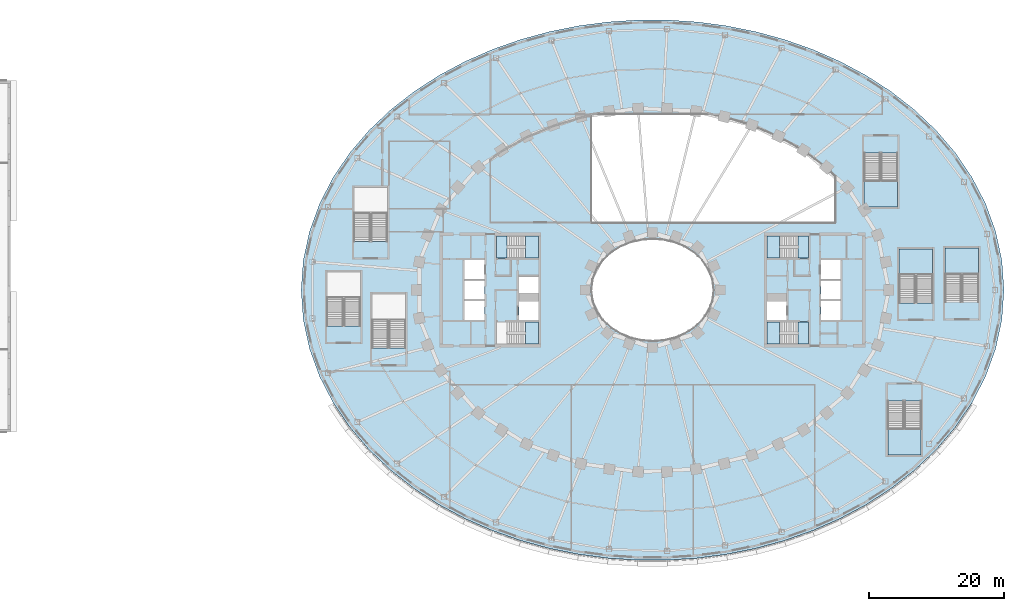
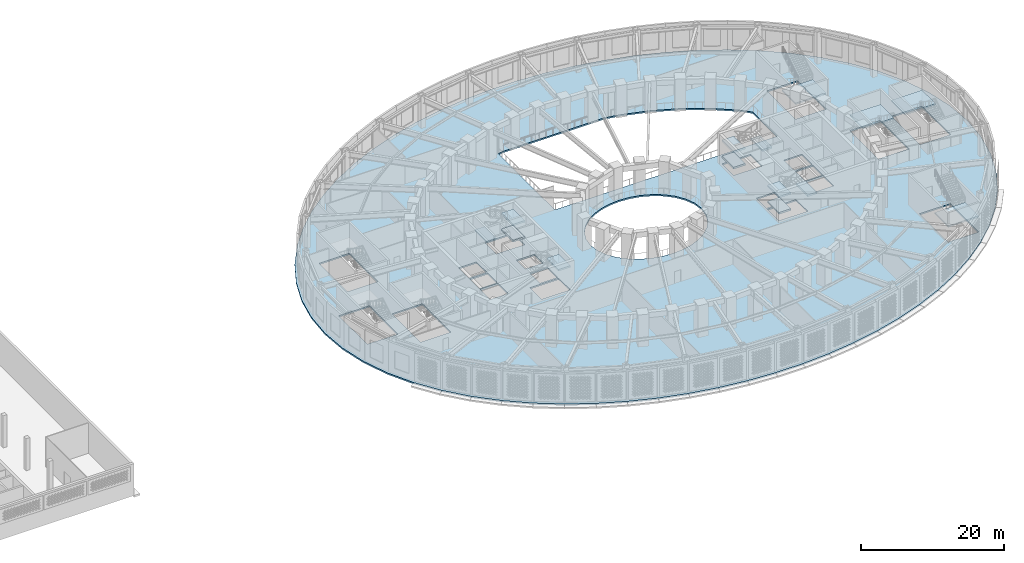
# One storey, part 8 of 69: 15 slabs, 8 elements without a shape of their own.
"""IFC4 building model written with IfcOpenShell, lengths in metres."""

from ifc_helpers import new_model, si_unit, direction, frame, origin, place, context, subcontext, project, spatial, polyline, outline, extrude, material, layer, layer_set, type_object, element, aggregate, save


model = new_model("IFC4")

# Units and contexts
model_context = context("Model", 3, precision=1e-05, world=origin(), true_north=direction((0.0, 1.0)))
body_context = subcontext(model_context, "Body", "Model", "MODEL_VIEW")
ifc_project = project(units=[si_unit("LENGTHUNIT", "METRE"), si_unit("AREAUNIT", "SQUARE_METRE"), si_unit("VOLUMEUNIT", "CUBIC_METRE"), si_unit("PLANEANGLEUNIT", "RADIAN"), si_unit("MASSUNIT", "GRAM", prefix="KILO")], contexts=[model_context])

# Site, building, storey
site_placement = place(None, origin())
site = spatial("IfcSite", under=ifc_project, at=site_placement, CompositionType="ELEMENT")
building_placement = place(site_placement, origin())
building = spatial("IfcBuilding", under=site, at=building_placement, Name="Noorbagh Ring Tower", CompositionType="ELEMENT")
storey_placement = place(building_placement, frame((0.0, 0.0, 19.5)))
storey = spatial("IfcBuildingStorey", under=building, at=storey_placement, Name="L03", CompositionType="ELEMENT", Elevation=19.5)

# Stair, slabs
ifc_material_1 = material(Name="Concrete C40/50", Category="concrete")
stair_type_1 = type_object("IfcStairType", Name="CORE-STAIR", PredefinedType="HALF_TURN_STAIR", material=ifc_material_1)
stair_1_placement = place(storey_placement, origin())
stair_1 = element("IfcStair", 1, at=stair_1_placement, inside=storey, type_object=stair_type_1, Name="L03 Exit stair ST1", PredefinedType="HALF_TURN_STAIR")
ifc_material_2 = material(Name="Concrete C40/50", Category="concrete")
ifc_layer_1 = layer(ifc_material_2, 0.300048828125)
ifc_layer_set_1 = layer_set([ifc_layer_1], Name="Concrete C40/50")
slab_type_1 = type_object("IfcSlabType", Name="CORE-STAIR-LANDING", PredefinedType="LANDING", material=ifc_layer_set_1)
slab_1_placement = place(storey_placement, frame((0.0, 0.0, 1.074951171875)))
slab_1 = element("IfcSlab", 2, at=slab_1_placement, type_object=slab_type_1, Name="ST1 landing 1", PredefinedType="LANDING", context=body_context, shape_type="SweptSolid", body=[
    extrude(outline(polyline([(-18.81005859375, 4.75), (-16.89990234375, 4.75), (-16.89990234375, 8.0), (-18.81005859375, 8.0), (-18.81005859375, 4.75)])), origin(), (0.0, 0.0, 1.0), 0.300048828125),
])
slab_2_placement = place(storey_placement, frame((0.0, 0.0, 2.449951171875)))
slab_2 = element("IfcSlab", 3, at=slab_2_placement, type_object=slab_type_1, Name="ST1 landing 2", PredefinedType="LANDING", context=body_context, shape_type="SweptSolid", body=[
    extrude(outline(polyline([(-23.080078125, 4.75), (-21.530029296875, 4.75), (-21.530029296875, 8.0), (-23.080078125, 8.0), (-23.080078125, 4.75)])), origin(), (0.0, 0.0, 1.0), 0.300048828125),
])
slab_3_placement = place(storey_placement, frame((0.0, 0.0, 3.824951171875)))
slab_3 = element("IfcSlab", 4, at=slab_3_placement, type_object=slab_type_1, Name="ST1 landing 3", PredefinedType="LANDING", context=body_context, shape_type="SweptSolid", body=[
    extrude(outline(polyline([(-18.81005859375, 4.75), (-16.89990234375, 4.75), (-16.89990234375, 8.0), (-18.81005859375, 8.0), (-18.81005859375, 4.75)])), origin(), (0.0, 0.0, 1.0), 0.300048828125),
])
aggregate(stair_1, [slab_1, slab_2, slab_3])

# Stair, slab
stair_2_placement = place(storey_placement, origin())
stair_2 = element("IfcStair", 5, at=stair_2_placement, inside=storey, type_object=stair_type_1, Name="L03 Exit stair ST2", PredefinedType="HALF_TURN_STAIR")
slab_4_placement = place(storey_placement, frame((0.0, 0.0, 3.824951171875)))
slab_4 = element("IfcSlab", 6, at=slab_4_placement, type_object=slab_type_1, Name="ST2 landing 3", PredefinedType="LANDING", context=body_context, shape_type="SweptSolid", body=[
    extrude(outline(polyline([(-18.81005859375, -8.0), (-16.89990234375, -8.0), (-16.89990234375, -4.75), (-18.81005859375, -4.75), (-18.81005859375, -8.0)])), origin(), (0.0, 0.0, 1.0), 0.300048828125),
])
aggregate(stair_2, [slab_4])

# Stair, slabs
stair_3_placement = place(storey_placement, origin())
stair_3 = element("IfcStair", 7, at=stair_3_placement, inside=storey, type_object=stair_type_1, Name="L03 Exit stair ST3", PredefinedType="HALF_TURN_STAIR")
slab_5_placement = place(storey_placement, frame((0.0, 0.0, 1.074951171875)))
slab_5 = element("IfcSlab", 8, at=slab_5_placement, type_object=slab_type_1, Name="ST3 landing 1", PredefinedType="LANDING", context=body_context, shape_type="SweptSolid", body=[
    extrude(outline(polyline([(18.81005859375, 8.0), (16.89990234375, 8.0), (16.89990234375, 4.75), (18.81005859375, 4.75), (18.81005859375, 8.0)])), origin(), (0.0, 0.0, 1.0), 0.300048828125),
])
slab_6_placement = place(storey_placement, frame((0.0, 0.0, 2.449951171875)))
slab_6 = element("IfcSlab", 9, at=slab_6_placement, type_object=slab_type_1, Name="ST3 landing 2", PredefinedType="LANDING", context=body_context, shape_type="SweptSolid", body=[
    extrude(outline(polyline([(23.080078125, 8.0), (21.530029296875, 8.0), (21.530029296875, 4.75), (23.080078125, 4.75), (23.080078125, 8.0)])), origin(), (0.0, 0.0, 1.0), 0.300048828125),
])
slab_7_placement = place(storey_placement, frame((0.0, 0.0, 3.824951171875)))
slab_7 = element("IfcSlab", 10, at=slab_7_placement, type_object=slab_type_1, Name="ST3 landing 3", PredefinedType="LANDING", context=body_context, shape_type="SweptSolid", body=[
    extrude(outline(polyline([(18.81005859375, 8.0), (16.89990234375, 8.0), (16.89990234375, 4.75), (18.81005859375, 4.75), (18.81005859375, 8.0)])), origin(), (0.0, 0.0, 1.0), 0.300048828125),
])
aggregate(stair_3, [slab_5, slab_6, slab_7])

stair_4_placement = place(storey_placement, origin())
stair_4 = element("IfcStair", 11, at=stair_4_placement, inside=storey, type_object=stair_type_1, Name="L03 Exit stair ST4", PredefinedType="HALF_TURN_STAIR")
slab_8_placement = place(storey_placement, frame((0.0, 0.0, 1.074951171875)))
slab_8 = element("IfcSlab", 12, at=slab_8_placement, type_object=slab_type_1, Name="ST4 landing 1", PredefinedType="LANDING", context=body_context, shape_type="SweptSolid", body=[
    extrude(outline(polyline([(18.81005859375, -4.75), (16.89990234375, -4.75), (16.89990234375, -8.0), (18.81005859375, -8.0), (18.81005859375, -4.75)])), origin(), (0.0, 0.0, 1.0), 0.300048828125),
])
slab_9_placement = place(storey_placement, frame((0.0, 0.0, 2.449951171875)))
slab_9 = element("IfcSlab", 13, at=slab_9_placement, type_object=slab_type_1, Name="ST4 landing 2", PredefinedType="LANDING", context=body_context, shape_type="SweptSolid", body=[
    extrude(outline(polyline([(23.080078125, -4.75), (21.530029296875, -4.75), (21.530029296875, -8.0), (23.080078125, -8.0), (23.080078125, -4.75)])), origin(), (0.0, 0.0, 1.0), 0.300048828125),
])
slab_10_placement = place(storey_placement, frame((0.0, 0.0, 3.824951171875)))
slab_10 = element("IfcSlab", 14, at=slab_10_placement, type_object=slab_type_1, Name="ST4 landing 3", PredefinedType="LANDING", context=body_context, shape_type="SweptSolid", body=[
    extrude(outline(polyline([(18.81005859375, -4.75), (16.89990234375, -4.75), (16.89990234375, -8.0), (18.81005859375, -8.0), (18.81005859375, -4.75)])), origin(), (0.0, 0.0, 1.0), 0.300048828125),
])
aggregate(stair_4, [slab_8, slab_9, slab_10])

# Stair, slab
ifc_material_3 = material(Name="Concrete C40/50", Category="concrete")
stair_type_2 = type_object("IfcStairType", Name="GND-STAIR", PredefinedType="HALF_TURN_STAIR", material=ifc_material_3)
stair_5_placement = place(storey_placement, origin())
stair_5 = element("IfcStair", 15, at=stair_5_placement, inside=storey, type_object=stair_type_2, Name="L03 exit stair ST-P2", PredefinedType="HALF_TURN_STAIR")
ifc_material_4 = material(Name="Concrete C40/50", Category="concrete")
ifc_layer_2 = layer(ifc_material_4, 0.25)
ifc_layer_set_2 = layer_set([ifc_layer_2], Name="Concrete C40/50")
slab_type_2 = type_object("IfcSlabType", Name="GND-STAIR-LANDING", PredefinedType="LANDING", material=ifc_layer_set_2)
slab_11_placement = place(storey_placement, frame((0.0, 0.0, 2.5)))
slab_11 = element("IfcSlab", 16, at=slab_11_placement, type_object=slab_type_2, Name="ST-P2 landing 1", PredefinedType="LANDING", context=body_context, shape_type="SweptSolid", body=[
    extrude(outline(polyline([(41.449951171875, 2.300048828125), (41.449951171875, 6.10009765625), (36.5, 6.10009765625), (36.5, 2.300048828125), (41.449951171875, 2.300048828125)])), origin(), (0.0, 0.0, 1.0), 0.25),
])
aggregate(stair_5, [slab_11])

stair_6_placement = place(storey_placement, origin())
stair_6 = element("IfcStair", 17, at=stair_6_placement, inside=storey, type_object=stair_type_2, Name="L03 exit stair ST-P4", PredefinedType="HALF_TURN_STAIR")
slab_12_placement = place(storey_placement, frame((0.0, 0.0, 2.5)))
slab_12 = element("IfcSlab", 18, at=slab_12_placement, type_object=slab_type_2, Name="ST-P4 landing 1", PredefinedType="LANDING", context=body_context, shape_type="SweptSolid", body=[
    extrude(outline(polyline([(48.25, 2.39990234375), (48.25, 6.199951171875), (43.300048828125, 6.199951171875), (43.300048828125, 2.39990234375), (48.25, 2.39990234375)])), origin(), (0.0, 0.0, 1.0), 0.25),
])
aggregate(stair_6, [slab_12])

stair_7_placement = place(storey_placement, origin())
stair_7 = element("IfcStair", 19, at=stair_7_placement, inside=storey, type_object=stair_type_2, Name="L03 exit stair ST-P5", PredefinedType="HALF_TURN_STAIR")
slab_13_placement = place(storey_placement, frame((0.0, 0.0, 2.5)))
slab_13 = element("IfcSlab", 20, at=slab_13_placement, type_object=slab_type_2, Name="ST-P5 landing 1", PredefinedType="LANDING", context=body_context, shape_type="SweptSolid", body=[
    extrude(outline(polyline([(31.300048828125, 16.10009765625), (31.300048828125, 12.300048828125), (36.25, 12.300048828125), (36.25, 16.10009765625), (31.300048828125, 16.10009765625)])), origin(), (0.0, 0.0, 1.0), 0.25),
])
aggregate(stair_7, [slab_13])

stair_8_placement = place(storey_placement, origin())
stair_8 = element("IfcStair", 21, at=stair_8_placement, inside=storey, type_object=stair_type_2, Name="L03 exit stair ST-P6", PredefinedType="HALF_TURN_STAIR")
slab_14_placement = place(storey_placement, frame((0.0, 0.0, 2.5)))
slab_14 = element("IfcSlab", 22, at=slab_14_placement, type_object=slab_type_2, Name="ST-P6 landing 1", PredefinedType="LANDING", context=body_context, shape_type="SweptSolid", body=[
    extrude(outline(polyline([(34.800048828125, -20.60009765625), (34.800048828125, -24.39990234375), (39.75, -24.39990234375), (39.75, -20.60009765625), (34.800048828125, -20.60009765625)])), origin(), (0.0, 0.0, 1.0), 0.25),
])
aggregate(stair_8, [slab_14])

# Slab
ifc_material_5 = material(Name="Concrete C40/50", Category="concrete")
ifc_layer_3 = layer(ifc_material_5, 0.25)
ifc_layer_set_3 = layer_set([ifc_layer_3], Name="Concrete C40/50")
slab_type_3 = type_object("IfcSlabType", Name="STR-PODIUM-DECK-250", PredefinedType="FLOOR", material=ifc_layer_set_3)
slab_15_placement = place(storey_placement, frame((0.0, 0.0, -0.25)))
element("IfcSlab", 23, at=slab_15_placement, inside=storey, type_object=slab_type_3, Name="L03/slab/1", PredefinedType="FLOOR", context=body_context, shape_type="SweptSolid", body=[
    extrude(outline(polyline([(52.0, 0.0), (51.68701171875, 4.383056640625), (50.76123046875, 8.6787109375), (49.261474609375, 12.809326171875), (47.2431640625, 16.713623046875), (44.769775390625, 20.346923828125), (41.906494140625, 23.682373046875), (38.71435546875, 26.70458984375), (35.247802734375, 29.408447265625), (31.5546875, 31.793701171875), (27.676025390625, 33.864013671875), (23.647216796875, 35.624755859375), (19.49853515625, 37.08154296875), (15.2568359375, 38.239501953125), (10.945556640625, 39.103759765625), (6.586181640625, 39.677734375), (2.198486328125, 39.964111328125), (-2.198486328125, 39.964111328125), (-6.586181640625, 39.677734375), (-10.945556640625, 39.103759765625), (-15.2568359375, 38.239501953125), (-19.49853515625, 37.08154296875), (-23.647216796875, 35.624755859375), (-27.676025390625, 33.864013671875), (-31.5546875, 31.793701171875), (-35.247802734375, 29.408447265625), (-38.71435546875, 26.70458984375), (-41.906494140625, 23.682373046875), (-44.769775390625, 20.346923828125), (-47.2431640625, 16.713623046875), (-49.261474609375, 12.809326171875), (-50.76123046875, 8.6787109375), (-51.68701171875, 4.383056640625), (-52.0, 0.0), (-51.68701171875, -4.383056640625), (-50.76123046875, -8.6787109375), (-49.261474609375, -12.809326171875), (-47.2431640625, -16.713623046875), (-44.769775390625, -20.346923828125), (-41.906494140625, -23.682373046875), (-38.71435546875, -26.70458984375), (-35.247802734375, -29.408447265625), (-31.5546875, -31.793701171875), (-27.676025390625, -33.864013671875), (-23.647216796875, -35.624755859375), (-19.49853515625, -37.08154296875), (-15.2568359375, -38.239501953125), (-10.945556640625, -39.103759765625), (-6.586181640625, -39.677734375), (-2.198486328125, -39.964111328125), (2.198486328125, -39.964111328125), (6.586181640625, -39.677734375), (10.945556640625, -39.103759765625), (15.2568359375, -38.239501953125), (19.49853515625, -37.08154296875), (23.647216796875, -35.624755859375), (27.676025390625, -33.864013671875), (31.5546875, -31.793701171875), (35.247802734375, -29.408447265625), (38.71435546875, -26.70458984375), (41.906494140625, -23.682373046875), (44.769775390625, -20.346923828125), (47.2431640625, -16.713623046875), (49.261474609375, -12.809326171875), (50.76123046875, -8.6787109375), (51.68701171875, -4.383056640625), (52.0, 0.0)]), holes=[polyline([(43.300048828125, 6.199951171875), (48.25, 6.199951171875), (48.25, -1.799560546875), (43.300048828125, -1.799560546875), (43.300048828125, 6.199951171875)]), polyline([(36.5, -1.8994140625), (36.5, 6.10009765625), (41.449951171875, 6.10009765625), (41.449951171875, -1.8994140625), (36.5, -1.8994140625)]), polyline([(39.75, -24.39990234375), (34.800048828125, -24.39990234375), (34.800048828125, -16.400390625), (39.75, -16.400390625), (39.75, -24.39990234375)]), polyline([(36.25, 12.300048828125), (31.300048828125, 12.300048828125), (31.300048828125, 20.299560546875), (36.25, 20.299560546875), (36.25, 12.300048828125)]), polyline([(27.800048828125, 4.449951171875), (27.800048828125, 1.60009765625), (24.89990234375, 1.60009765625), (24.89990234375, 4.449951171875), (27.800048828125, 4.449951171875)]), polyline([(27.800048828125, 1.35009765625), (27.800048828125, -1.35009765625), (24.89990234375, -1.35009765625), (24.89990234375, 1.35009765625), (27.800048828125, 1.35009765625)]), polyline([(27.800048828125, -1.60009765625), (27.800048828125, -4.449951171875), (24.89990234375, -4.449951171875), (24.89990234375, -1.60009765625), (27.800048828125, -1.60009765625)]), polyline([(10.5771484375, 25.52783203125), (14.65869140625, 24.299560546875), (18.580322265625, 22.650390625), (22.280517578125, 20.57373046875), (25.685546875, 18.065673828125), (27.0, 16.78857421875), (27.0, 10.0), (-9.0, 10.0), (-9.0, 25.83447265625), (-8.148193359375, 26.0), (8.148193359375, 26.0), (10.5771484375, 25.52783203125)]), polyline([(16.89990234375, -8.0), (16.89990234375, -4.75), (21.529541015625, -4.75), (21.529541015625, -8.0), (16.89990234375, -8.0)]), polyline([(21.529541015625, 4.75), (16.89990234375, 4.75), (16.89990234375, 8.0), (21.529541015625, 8.0), (21.529541015625, 4.75)]), polyline([(16.89990234375, -1.699951171875), (19.800048828125, -1.699951171875), (19.800048828125, -4.449951171875), (16.89990234375, -4.449951171875), (16.89990234375, -1.699951171875)]), polyline([(3.196533203125, -7.010986328125), (1.6171875, -7.3779296875), (0.0, -7.5), (-1.6171875, -7.3779296875), (-3.196533203125, -7.010986328125), (-4.697509765625, -6.3974609375), (-6.071044921875, -5.53662109375), (-7.2587890625, -4.43408203125), (-8.1904296875, -3.10888671875), (-8.79150390625, -1.605224609375), (-9.0, 0.0), (-8.79150390625, 1.605224609375), (-8.1904296875, 3.10888671875), (-7.2587890625, 4.43408203125), (-6.071044921875, 5.53662109375), (-4.697509765625, 6.3974609375), (-3.196533203125, 7.010986328125), (-1.6171875, 7.3779296875), (0.0, 7.5), (1.6171875, 7.3779296875), (3.196533203125, 7.010986328125), (4.697509765625, 6.3974609375), (6.071044921875, 5.53662109375), (7.2587890625, 4.43408203125), (8.1904296875, 3.10888671875), (8.79150390625, 1.605224609375), (9.0, 0.0), (8.79150390625, -1.605224609375), (8.1904296875, -3.10888671875), (7.2587890625, -4.43408203125), (6.071044921875, -5.53662109375), (4.697509765625, -6.3974609375), (3.196533203125, -7.010986328125)]), polyline([(-16.89990234375, -4.449951171875), (-19.800048828125, -4.449951171875), (-19.800048828125, -1.699951171875), (-16.89990234375, -1.699951171875), (-16.89990234375, -4.449951171875)]), polyline([(-16.89990234375, 8.0), (-16.89990234375, 4.75), (-21.529541015625, 4.75), (-21.529541015625, 8.0), (-16.89990234375, 8.0)]), polyline([(-19.800048828125, -0.449951171875), (-19.800048828125, 2.0), (-16.89990234375, 2.0), (-16.89990234375, -0.449951171875), (-19.800048828125, -0.449951171875)]), polyline([(-21.529541015625, -4.75), (-16.89990234375, -4.75), (-16.89990234375, -8.0), (-21.529541015625, -8.0), (-21.529541015625, -4.75)]), polyline([(-24.89990234375, 1.60009765625), (-27.800048828125, 1.60009765625), (-27.800048828125, 4.449951171875), (-24.89990234375, 4.449951171875), (-24.89990234375, 1.60009765625)]), polyline([(-24.89990234375, -1.35009765625), (-27.800048828125, -1.35009765625), (-27.800048828125, 1.35009765625), (-24.89990234375, 1.35009765625), (-24.89990234375, -1.35009765625)]), polyline([(-27.800048828125, -4.449951171875), (-27.800048828125, -1.60009765625), (-24.89990234375, -1.60009765625), (-24.89990234375, -4.449951171875), (-27.800048828125, -4.449951171875)]), polyline([(-41.5, -8.599609375), (-41.5, -0.60009765625), (-36.550048828125, -0.60009765625), (-36.550048828125, -8.599609375), (-41.5, -8.599609375)]), polyline([(-44.199951171875, 15.199951171875), (-39.25, 15.199951171875), (-39.25, 7.200439453125), (-44.199951171875, 7.200439453125), (-44.199951171875, 15.199951171875)]), polyline([(-48.199951171875, 2.699951171875), (-43.25, 2.699951171875), (-43.25, -5.299560546875), (-48.199951171875, -5.299560546875), (-48.199951171875, 2.699951171875)])]), origin(), (0.0, 0.0, 1.0), 0.25),
])

save(model, "model.ifc")
